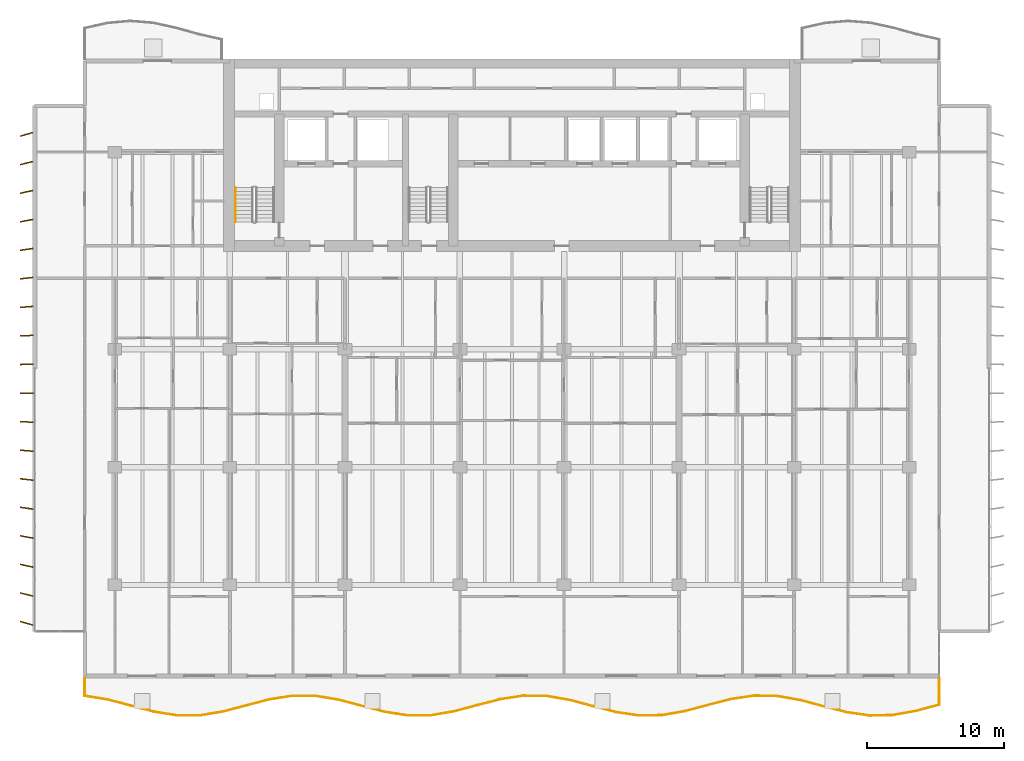
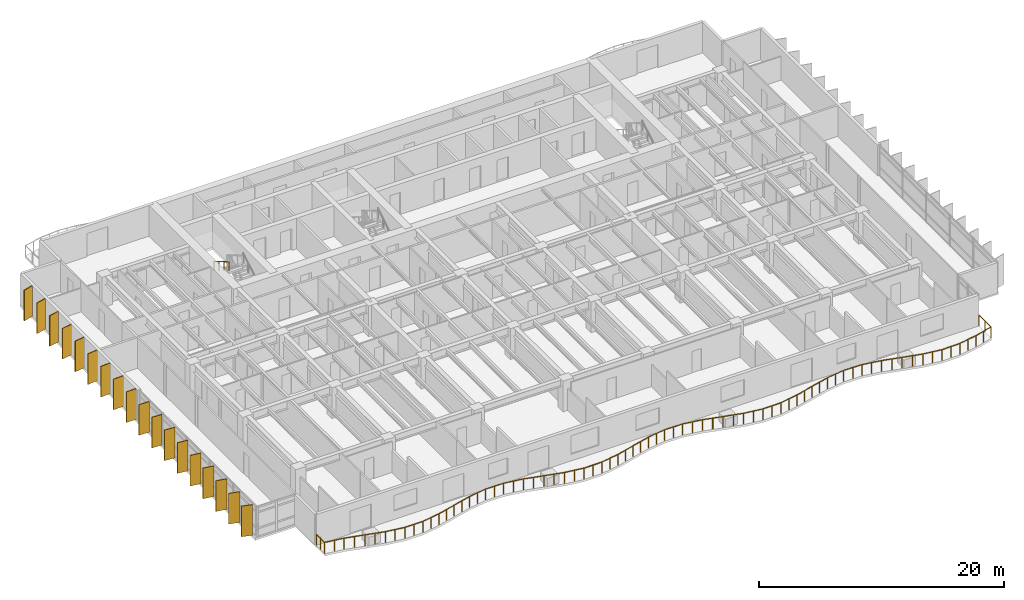
# One storey, part 14 of 17: 18 shading devices, 2 railings.
"""IFC4 building model written with IfcOpenShell, lengths in metres."""

from ifc_helpers import new_model, si_unit, direction, frame, origin, origin_2d, place, context, subcontext, project, spatial, rectangle, circle, extrude, material, material_profile, profile_set, type_object, element, save


model = new_model("IFC4")

# Units and contexts
model_context = context("Model", 3, precision=1e-05, world=origin(), true_north=direction((0.0, 1.0)))
body_context = subcontext(model_context, "Body", "Model", "MODEL_VIEW")
ifc_project = project(units=[si_unit("LENGTHUNIT", "METRE"), si_unit("AREAUNIT", "SQUARE_METRE"), si_unit("VOLUMEUNIT", "CUBIC_METRE"), si_unit("PLANEANGLEUNIT", "RADIAN"), si_unit("MASSUNIT", "GRAM", prefix="KILO")], contexts=[model_context])

# Site, building, storey
site_placement = place(None, origin())
site = spatial("IfcSite", under=ifc_project, at=site_placement, CompositionType="ELEMENT")
building_placement = place(site_placement, origin())
building = spatial("IfcBuilding", under=site, at=building_placement, Name="Caelmar Bay Residences", CompositionType="ELEMENT")
storey_placement = place(building_placement, frame((0.0, 0.0, 109.199951171875)))
storey = spatial("IfcBuildingStorey", under=building, at=storey_placement, Name="L29", CompositionType="ELEMENT", Elevation=109.199951171875)

# Railings
ifc_material_1 = material(Name="Anodised bronze handrail with laminated hurricane glass infill", Category="glass")
railing_type_1 = type_object("IfcRailingType", Name="RL-BAL-1100", PredefinedType="BALUSTRADE", material=ifc_material_1)
railing_1_placement = place(storey_placement, frame((7.699951171875, 5.39990234375, 0.0)))
element("IfcRailing", 1, at=railing_1_placement, inside=storey, type_object=railing_type_1, Name="L29 south Balcony Balustrade", PredefinedType="BALUSTRADE", context=body_context, shape_type="SweptSolid", body=[
    extrude(circle(Radius=0.02392578125, at=origin_2d()), frame((0.0, 0.0, 1.076171875), z_axis=(0.0, -1.0, 0.0), x_axis=(1.0, 0.0, 0.0)), (0.0, 0.0, 1.0), 1.306640625),
    extrude(circle(Radius=0.02392578125, at=origin_2d()), frame((0.0, -1.306640625, 1.076171875), z_axis=(0.987065173656, -0.160319502728, 0.0), x_axis=(0.160319502728, 0.987065173656, 0.0)), (0.0, 0.0, 1.0), 1.708740234375),
    extrude(circle(Radius=0.02392578125, at=origin_2d()), frame((1.6865234375, -1.58056640625, 1.076171875), z_axis=(0.967208611975, -0.253983268981, 0.0), x_axis=(0.253983268981, 0.967208611975, 0.0)), (0.0, 0.0, 1.0), 1.74365234375),
    extrude(circle(Radius=0.02392578125, at=origin_2d()), frame((3.373046875, -2.0234375, 1.076171875), z_axis=(0.967380394838, -0.253328189673, 0.0), x_axis=(0.253328189673, 0.967380394838, 0.0)), (0.0, 0.0, 1.0), 1.743408203125),
    extrude(circle(Radius=0.02392578125, at=origin_2d()), frame((5.0595703125, -2.465087890625, 1.076171875), z_axis=(0.987398669265, -0.158252544792, 0.0), x_axis=(0.158252544792, 0.987398669265, 0.0)), (0.0, 0.0, 1.0), 1.707763671875),
    extrude(circle(Radius=0.02392578125, at=origin_2d()), frame((6.745849609375, -2.7353515625, 1.076171875), z_axis=(0.999995379373, 0.00303993963, 0.0), x_axis=(-0.00303993963, 0.999995379373, 0.0)), (0.0, 0.0, 1.0), 1.6865234375),
    extrude(circle(Radius=0.02392578125, at=origin_2d()), frame((8.432373046875, -2.730224609375, 1.076171875), z_axis=(0.986655160989, 0.162823810586, 0.0), x_axis=(-0.162823810586, 0.986655160989, 0.0)), (0.0, 0.0, 1.0), 1.709228515625),
    extrude(circle(Radius=0.02392578125, at=origin_2d()), frame((10.118896484375, -2.451904296875, 1.076171875), z_axis=(0.966967473877, 0.254899792984, 0.0), x_axis=(-0.254899792984, 0.966967473877, 0.0)), (0.0, 0.0, 1.0), 1.744140625),
    extrude(circle(Radius=0.02392578125, at=origin_2d()), frame((11.805419921875, -2.00732421875, 1.076171875), z_axis=(0.967620247319, 0.252410493004, 0.0), x_axis=(-0.252410493004, 0.967620247319, 0.0)), (0.0, 0.0, 1.0), 1.742919921875),
    extrude(circle(Radius=0.02392578125, at=origin_2d()), frame((13.491943359375, -1.5673828125, 1.076171875), z_axis=(0.987823182146, 0.155580721218, 0.0), x_axis=(-0.155580721218, 0.987823182146, 0.0)), (0.0, 0.0, 1.0), 1.707275390625),
    extrude(circle(Radius=0.02392578125, at=origin_2d()), frame((15.178466796875, -1.3017578125, 1.076171875), z_axis=(0.999979715819, -0.006369297553, 0.0), x_axis=(0.006369297553, 0.999979715819, 0.0)), (0.0, 0.0, 1.0), 1.6865234375),
    extrude(circle(Radius=0.02392578125, at=origin_2d()), frame((16.864990234375, -1.3125, 1.076171875), z_axis=(0.986215858192, -0.165463836081, 0.0), x_axis=(0.165463836081, 0.986215858192, 0.0)), (0.0, 0.0, 1.0), 1.710205078125),
    extrude(circle(Radius=0.02392578125, at=origin_2d()), frame((18.551513671875, -1.595458984375, 1.076171875), z_axis=(0.966716428408, -0.255850243395, 0.0), x_axis=(0.255850243395, 0.966716428408, 0.0)), (0.0, 0.0, 1.0), 1.744384765625),
    extrude(circle(Radius=0.02392578125, at=origin_2d()), frame((20.23779296875, -2.041748046875, 1.076171875), z_axis=(0.967927523166, -0.251229595981, 0.0), x_axis=(0.251229595981, 0.967927523166, 0.0)), (0.0, 0.0, 1.0), 1.742431640625),
    extrude(circle(Radius=0.02392578125, at=origin_2d()), frame((21.92431640625, -2.4794921875, 1.076171875), z_axis=(0.988215723796, -0.153067577369, 0.0), x_axis=(0.153067577369, 0.988215723796, 0.0)), (0.0, 0.0, 1.0), 1.70654296875),
    extrude(circle(Radius=0.02392578125, at=origin_2d()), frame((23.61083984375, -2.74072265625, 1.076171875), z_axis=(0.999952968989, 0.009698443677, 0.0), x_axis=(-0.009698443677, 0.999952968989, 0.0)), (0.0, 0.0, 1.0), 1.6865234375),
    extrude(circle(Radius=0.02392578125, at=origin_2d()), frame((25.29736328125, -2.724365234375, 1.076171875), z_axis=(0.985793532406, 0.167961636891, 0.0), x_axis=(-0.167961636891, 0.985793532406, 0.0)), (0.0, 0.0, 1.0), 1.7109375),
    extrude(circle(Radius=0.02392578125, at=origin_2d()), frame((26.98388671875, -2.43701171875, 1.076171875), z_axis=(0.966482957284, 0.256730779765, 0.0), x_axis=(-0.256730779765, 0.966482957284, 0.0)), (0.0, 0.0, 1.0), 1.7451171875),
    extrude(circle(Radius=0.02392578125, at=origin_2d()), frame((28.67041015625, -1.989013671875, 1.076171875), z_axis=(0.968165653022, 0.250310343992, 0.0), x_axis=(-0.250310343992, 0.968165653022, 0.0)), (0.0, 0.0, 1.0), 1.741943359375),
    extrude(circle(Radius=0.02392578125, at=origin_2d()), frame((30.35693359375, -1.552978515625, 1.076171875), z_axis=(0.988641503108, 0.150292974991, 0.0), x_axis=(-0.150292974991, 0.988641503108, 0.0)), (0.0, 0.0, 1.0), 1.70556640625),
    extrude(circle(Radius=0.02392578125, at=origin_2d()), frame((32.043212890625, -1.296630859375, 1.076171875), z_axis=(0.999915141552, -0.013027267333, 0.0), x_axis=(0.013027267333, 0.999915141552, 0.0)), (0.0, 0.0, 1.0), 1.686767578125),
    extrude(circle(Radius=0.02392578125, at=origin_2d()), frame((33.729736328125, -1.318603515625, 1.076171875), z_axis=(0.985341285462, -0.170594698525, 0.0), x_axis=(0.170594698525, 0.985341285462, 0.0)), (0.0, 0.0, 1.0), 1.711669921875),
    extrude(circle(Radius=0.02392578125, at=origin_2d()), frame((35.416259765625, -1.610595703125, 1.076171875), z_axis=(0.966309193943, -0.257384035445, 0.0), x_axis=(0.257384035445, 0.966309193943, 0.0)), (0.0, 0.0, 1.0), 1.745361328125),
    extrude(circle(Radius=0.02392578125, at=origin_2d()), frame((37.102783203125, -2.059814453125, 1.076171875), z_axis=(0.968436874768, -0.249258940842, 0.0), x_axis=(0.249258940842, 0.968436874768, 0.0)), (0.0, 0.0, 1.0), 1.741455078125),
    extrude(circle(Radius=0.02392578125, at=origin_2d()), frame((38.789306640625, -2.493896484375, 1.076171875), z_axis=(0.989045303054, -0.147612291177, 0.0), x_axis=(0.147612291177, 0.989045303054, 0.0)), (0.0, 0.0, 1.0), 1.705322265625),
    extrude(circle(Radius=0.02392578125, at=origin_2d()), frame((40.475830078125, -2.74560546875, 1.076171875), z_axis=(0.999863859809, 0.016500359007, 0.0), x_axis=(-0.016500359007, 0.999863859809, 0.0)), (0.0, 0.0, 1.0), 1.686767578125),
    extrude(circle(Radius=0.02392578125, at=origin_2d()), frame((42.162353515625, -2.7177734375, 1.076171875), z_axis=(0.984926778212, 0.172971794118, 0.0), x_axis=(-0.172971794118, 0.984926778212, 0.0)), (0.0, 0.0, 1.0), 1.712158203125),
    extrude(circle(Radius=0.02392578125, at=origin_2d()), frame((43.8486328125, -2.421630859375, 1.076171875), z_axis=(0.96606528911, 0.258298000722, 0.0), x_axis=(-0.258298000722, 0.96606528911, 0.0)), (0.0, 0.0, 1.0), 1.745849609375),
    extrude(circle(Radius=0.02392578125, at=origin_2d()), frame((45.53515625, -1.970703125, 1.076171875), z_axis=(0.968740814455, 0.248075058015, 0.0), x_axis=(-0.248075058015, 0.968740814455, 0.0)), (0.0, 0.0, 1.0), 1.740966796875),
    extrude(circle(Radius=0.02392578125, at=origin_2d()), frame((47.2216796875, -1.538818359375, 1.076171875), z_axis=(0.989459562503, 0.144809440893, 0.0), x_axis=(-0.144809440893, 0.989459562503, 0.0)), (0.0, 0.0, 1.0), 1.70458984375),
    extrude(circle(Radius=0.02392578125, at=origin_2d()), frame((48.908203125, -1.2919921875, 1.076171875), z_axis=(0.999806261051, -0.01968350485, 0.0), x_axis=(0.01968350485, 0.999806261051, 0.0)), (0.0, 0.0, 1.0), 1.686767578125),
    extrude(circle(Radius=0.02392578125, at=origin_2d()), frame((50.5947265625, -1.3251953125, 1.076171875), z_axis=(0.984466306135, -0.175573608737, 0.0), x_axis=(0.175573608737, 0.984466306135, 0.0)), (0.0, 0.0, 1.0), 1.713134765625),
    extrude(circle(Radius=0.02392578125, at=origin_2d()), frame((52.28125, -1.6259765625, 1.076171875), z_axis=(0.965881240194, -0.258985385383, 0.0), x_axis=(0.258985385383, 0.965881240194, 0.0)), (0.0, 0.0, 1.0), 1.745849609375),
    extrude(circle(Radius=0.02392578125, at=origin_2d()), frame((53.967529296875, -2.078125, 1.076171875), z_axis=(0.969043495909, -0.246890062652, 0.0), x_axis=(0.246890062652, 0.969043495909, 0.0)), (0.0, 0.0, 1.0), 1.740478515625),
    extrude(circle(Radius=0.02392578125, at=origin_2d()), frame((55.654052734375, -2.5078125, 1.076171875), z_axis=(0.989846061572, -0.142143499288, 0.0), x_axis=(0.142143499288, 0.989846061572, 0.0)), (0.0, 0.0, 1.0), 1.703857421875),
    extrude(circle(Radius=0.02392578125, at=origin_2d()), frame((57.340576171875, -2.75, 1.076171875), z_axis=(0.99973187913, 0.023155341729, 0.0), x_axis=(-0.023155341729, 0.99973187913, 0.0)), (0.0, 0.0, 1.0), 1.68701171875),
    extrude(circle(Radius=0.02392578125, at=origin_2d()), frame((59.027099609375, -2.7109375, 1.076171875), z_axis=(0.984044935077, 0.177920110583, 0.0), x_axis=(-0.177920110583, 0.984044935077, 0.0)), (0.0, 0.0, 1.0), 1.7138671875),
    extrude(circle(Radius=0.02392578125, at=origin_2d()), frame((60.713623046875, -2.406005859375, 1.076171875), z_axis=(0.965715569581, 0.259602462755, 0.0), x_axis=(-0.259602462755, 0.965715569581, 0.0)), (0.0, 0.0, 1.0), 1.746337890625),
    extrude(circle(Radius=0.02392578125, at=origin_2d()), frame((62.400146484375, -1.95263671875, 1.076171875), z_axis=(0.0, 1.0, 0.0), x_axis=(-1.0, 0.0, 0.0)), (0.0, 0.0, 1.0), 1.95263671875),
    extrude(circle(Radius=0.02099609375, at=origin_2d()), origin(), (0.0, 0.0, 1.0), 1.052001953125),
    extrude(circle(Radius=0.02099609375, at=origin_2d()), frame((0.0, -0.6533203125, 0.0)), (0.0, 0.0, 1.0), 1.052001953125),
    extrude(circle(Radius=0.02099609375, at=origin_2d()), frame((0.0, -1.306640625, 0.0)), (0.0, 0.0, 1.0), 1.052001953125),
    extrude(circle(Radius=0.02099609375, at=origin_2d()), frame((0.84326171875, -1.443603515625, 0.0)), (0.0, 0.0, 1.0), 1.052001953125),
    extrude(circle(Radius=0.02099609375, at=origin_2d()), frame((1.6865234375, -1.58056640625, 0.0)), (0.0, 0.0, 1.0), 1.052001953125),
    extrude(circle(Radius=0.02099609375, at=origin_2d()), frame((2.52978515625, -1.802001953125, 0.0)), (0.0, 0.0, 1.0), 1.052001953125),
    extrude(circle(Radius=0.02099609375, at=origin_2d()), frame((3.373046875, -2.0234375, 0.0)), (0.0, 0.0, 1.0), 1.052001953125),
    extrude(circle(Radius=0.02099609375, at=origin_2d()), frame((4.21630859375, -2.244140625, 0.0)), (0.0, 0.0, 1.0), 1.052001953125),
    extrude(circle(Radius=0.02099609375, at=origin_2d()), frame((5.0595703125, -2.465087890625, 0.0)), (0.0, 0.0, 1.0), 1.052001953125),
    extrude(circle(Radius=0.02099609375, at=origin_2d()), frame((5.90283203125, -2.60009765625, 0.0)), (0.0, 0.0, 1.0), 1.052001953125),
    extrude(circle(Radius=0.02099609375, at=origin_2d()), frame((6.745849609375, -2.7353515625, 0.0)), (0.0, 0.0, 1.0), 1.052001953125),
    extrude(circle(Radius=0.02099609375, at=origin_2d()), frame((7.589111328125, -2.73291015625, 0.0)), (0.0, 0.0, 1.0), 1.052001953125),
    extrude(circle(Radius=0.02099609375, at=origin_2d()), frame((8.432373046875, -2.730224609375, 0.0)), (0.0, 0.0, 1.0), 1.052001953125),
    extrude(circle(Radius=0.02099609375, at=origin_2d()), frame((9.275634765625, -2.591064453125, 0.0)), (0.0, 0.0, 1.0), 1.052001953125),
    extrude(circle(Radius=0.02099609375, at=origin_2d()), frame((10.118896484375, -2.451904296875, 0.0)), (0.0, 0.0, 1.0), 1.052001953125),
    extrude(circle(Radius=0.02099609375, at=origin_2d()), frame((10.962158203125, -2.2294921875, 0.0)), (0.0, 0.0, 1.0), 1.052001953125),
    extrude(circle(Radius=0.02099609375, at=origin_2d()), frame((11.805419921875, -2.00732421875, 0.0)), (0.0, 0.0, 1.0), 1.052001953125),
    extrude(circle(Radius=0.02099609375, at=origin_2d()), frame((12.648681640625, -1.787353515625, 0.0)), (0.0, 0.0, 1.0), 1.052001953125),
    extrude(circle(Radius=0.02099609375, at=origin_2d()), frame((13.491943359375, -1.5673828125, 0.0)), (0.0, 0.0, 1.0), 1.052001953125),
    extrude(circle(Radius=0.02099609375, at=origin_2d()), frame((14.335205078125, -1.4345703125, 0.0)), (0.0, 0.0, 1.0), 1.052001953125),
    extrude(circle(Radius=0.02099609375, at=origin_2d()), frame((15.178466796875, -1.3017578125, 0.0)), (0.0, 0.0, 1.0), 1.052001953125),
    extrude(circle(Radius=0.02099609375, at=origin_2d()), frame((16.021728515625, -1.30712890625, 0.0)), (0.0, 0.0, 1.0), 1.052001953125),
    extrude(circle(Radius=0.02099609375, at=origin_2d()), frame((16.864990234375, -1.3125, 0.0)), (0.0, 0.0, 1.0), 1.052001953125),
    extrude(circle(Radius=0.02099609375, at=origin_2d()), frame((17.708251953125, -1.4541015625, 0.0)), (0.0, 0.0, 1.0), 1.052001953125),
    extrude(circle(Radius=0.02099609375, at=origin_2d()), frame((18.551513671875, -1.595458984375, 0.0)), (0.0, 0.0, 1.0), 1.052001953125),
    extrude(circle(Radius=0.02099609375, at=origin_2d()), frame((19.39453125, -1.818603515625, 0.0)), (0.0, 0.0, 1.0), 1.052001953125),
    extrude(circle(Radius=0.02099609375, at=origin_2d()), frame((20.23779296875, -2.041748046875, 0.0)), (0.0, 0.0, 1.0), 1.052001953125),
    extrude(circle(Radius=0.02099609375, at=origin_2d()), frame((21.0810546875, -2.2607421875, 0.0)), (0.0, 0.0, 1.0), 1.052001953125),
    extrude(circle(Radius=0.02099609375, at=origin_2d()), frame((21.92431640625, -2.4794921875, 0.0)), (0.0, 0.0, 1.0), 1.052001953125),
    extrude(circle(Radius=0.02099609375, at=origin_2d()), frame((22.767578125, -2.610107421875, 0.0)), (0.0, 0.0, 1.0), 1.052001953125),
    extrude(circle(Radius=0.02099609375, at=origin_2d()), frame((23.61083984375, -2.74072265625, 0.0)), (0.0, 0.0, 1.0), 1.052001953125),
    extrude(circle(Radius=0.02099609375, at=origin_2d()), frame((24.4541015625, -2.732421875, 0.0)), (0.0, 0.0, 1.0), 1.052001953125),
    extrude(circle(Radius=0.02099609375, at=origin_2d()), frame((25.29736328125, -2.724365234375, 0.0)), (0.0, 0.0, 1.0), 1.052001953125),
    extrude(circle(Radius=0.02099609375, at=origin_2d()), frame((26.140625, -2.58056640625, 0.0)), (0.0, 0.0, 1.0), 1.052001953125),
    extrude(circle(Radius=0.02099609375, at=origin_2d()), frame((26.98388671875, -2.43701171875, 0.0)), (0.0, 0.0, 1.0), 1.052001953125),
    extrude(circle(Radius=0.02099609375, at=origin_2d()), frame((27.8271484375, -2.212890625, 0.0)), (0.0, 0.0, 1.0), 1.052001953125),
    extrude(circle(Radius=0.02099609375, at=origin_2d()), frame((28.67041015625, -1.989013671875, 0.0)), (0.0, 0.0, 1.0), 1.052001953125),
    extrude(circle(Radius=0.02099609375, at=origin_2d()), frame((29.513671875, -1.77099609375, 0.0)), (0.0, 0.0, 1.0), 1.052001953125),
    extrude(circle(Radius=0.02099609375, at=origin_2d()), frame((30.35693359375, -1.552978515625, 0.0)), (0.0, 0.0, 1.0), 1.052001953125),
    extrude(circle(Radius=0.02099609375, at=origin_2d()), frame((31.2001953125, -1.4248046875, 0.0)), (0.0, 0.0, 1.0), 1.052001953125),
    extrude(circle(Radius=0.02099609375, at=origin_2d()), frame((32.043212890625, -1.296630859375, 0.0)), (0.0, 0.0, 1.0), 1.052001953125),
    extrude(circle(Radius=0.02099609375, at=origin_2d()), frame((32.886474609375, -1.3076171875, 0.0)), (0.0, 0.0, 1.0), 1.052001953125),
    extrude(circle(Radius=0.02099609375, at=origin_2d()), frame((33.729736328125, -1.318603515625, 0.0)), (0.0, 0.0, 1.0), 1.052001953125),
    extrude(circle(Radius=0.02099609375, at=origin_2d()), frame((34.572998046875, -1.464599609375, 0.0)), (0.0, 0.0, 1.0), 1.052001953125),
    extrude(circle(Radius=0.02099609375, at=origin_2d()), frame((35.416259765625, -1.610595703125, 0.0)), (0.0, 0.0, 1.0), 1.052001953125),
    extrude(circle(Radius=0.02099609375, at=origin_2d()), frame((36.259521484375, -1.835205078125, 0.0)), (0.0, 0.0, 1.0), 1.052001953125),
    extrude(circle(Radius=0.02099609375, at=origin_2d()), frame((37.102783203125, -2.059814453125, 0.0)), (0.0, 0.0, 1.0), 1.052001953125),
    extrude(circle(Radius=0.02099609375, at=origin_2d()), frame((37.946044921875, -2.27685546875, 0.0)), (0.0, 0.0, 1.0), 1.052001953125),
    extrude(circle(Radius=0.02099609375, at=origin_2d()), frame((38.789306640625, -2.493896484375, 0.0)), (0.0, 0.0, 1.0), 1.052001953125),
    extrude(circle(Radius=0.02099609375, at=origin_2d()), frame((39.632568359375, -2.61962890625, 0.0)), (0.0, 0.0, 1.0), 1.052001953125),
    extrude(circle(Radius=0.02099609375, at=origin_2d()), frame((40.475830078125, -2.74560546875, 0.0)), (0.0, 0.0, 1.0), 1.052001953125),
    extrude(circle(Radius=0.02099609375, at=origin_2d()), frame((41.319091796875, -2.731689453125, 0.0)), (0.0, 0.0, 1.0), 1.052001953125),
    extrude(circle(Radius=0.02099609375, at=origin_2d()), frame((42.162353515625, -2.7177734375, 0.0)), (0.0, 0.0, 1.0), 1.052001953125),
    extrude(circle(Radius=0.02099609375, at=origin_2d()), frame((43.00537109375, -2.56982421875, 0.0)), (0.0, 0.0, 1.0), 1.052001953125),
    extrude(circle(Radius=0.02099609375, at=origin_2d()), frame((43.8486328125, -2.421630859375, 0.0)), (0.0, 0.0, 1.0), 1.052001953125),
    extrude(circle(Radius=0.02099609375, at=origin_2d()), frame((44.69189453125, -2.1962890625, 0.0)), (0.0, 0.0, 1.0), 1.052001953125),
    extrude(circle(Radius=0.02099609375, at=origin_2d()), frame((45.53515625, -1.970703125, 0.0)), (0.0, 0.0, 1.0), 1.052001953125),
    extrude(circle(Radius=0.02099609375, at=origin_2d()), frame((46.37841796875, -1.7548828125, 0.0)), (0.0, 0.0, 1.0), 1.052001953125),
    extrude(circle(Radius=0.02099609375, at=origin_2d()), frame((47.2216796875, -1.538818359375, 0.0)), (0.0, 0.0, 1.0), 1.052001953125),
    extrude(circle(Radius=0.02099609375, at=origin_2d()), frame((48.06494140625, -1.41552734375, 0.0)), (0.0, 0.0, 1.0), 1.052001953125),
    extrude(circle(Radius=0.02099609375, at=origin_2d()), frame((48.908203125, -1.2919921875, 0.0)), (0.0, 0.0, 1.0), 1.052001953125),
    extrude(circle(Radius=0.02099609375, at=origin_2d()), frame((49.75146484375, -1.30859375, 0.0)), (0.0, 0.0, 1.0), 1.052001953125),
    extrude(circle(Radius=0.02099609375, at=origin_2d()), frame((50.5947265625, -1.3251953125, 0.0)), (0.0, 0.0, 1.0), 1.052001953125),
    extrude(circle(Radius=0.02099609375, at=origin_2d()), frame((51.43798828125, -1.4755859375, 0.0)), (0.0, 0.0, 1.0), 1.052001953125),
    extrude(circle(Radius=0.02099609375, at=origin_2d()), frame((52.28125, -1.6259765625, 0.0)), (0.0, 0.0, 1.0), 1.052001953125),
    extrude(circle(Radius=0.02099609375, at=origin_2d()), frame((53.12451171875, -1.85205078125, 0.0)), (0.0, 0.0, 1.0), 1.052001953125),
    extrude(circle(Radius=0.02099609375, at=origin_2d()), frame((53.967529296875, -2.078125, 0.0)), (0.0, 0.0, 1.0), 1.052001953125),
    extrude(circle(Radius=0.02099609375, at=origin_2d()), frame((54.810791015625, -2.29296875, 0.0)), (0.0, 0.0, 1.0), 1.052001953125),
    extrude(circle(Radius=0.02099609375, at=origin_2d()), frame((55.654052734375, -2.5078125, 0.0)), (0.0, 0.0, 1.0), 1.052001953125),
    extrude(circle(Radius=0.02099609375, at=origin_2d()), frame((56.497314453125, -2.62890625, 0.0)), (0.0, 0.0, 1.0), 1.052001953125),
    extrude(circle(Radius=0.02099609375, at=origin_2d()), frame((57.340576171875, -2.75, 0.0)), (0.0, 0.0, 1.0), 1.052001953125),
    extrude(circle(Radius=0.02099609375, at=origin_2d()), frame((58.183837890625, -2.73046875, 0.0)), (0.0, 0.0, 1.0), 1.052001953125),
    extrude(circle(Radius=0.02099609375, at=origin_2d()), frame((59.027099609375, -2.7109375, 0.0)), (0.0, 0.0, 1.0), 1.052001953125),
    extrude(circle(Radius=0.02099609375, at=origin_2d()), frame((59.870361328125, -2.55859375, 0.0)), (0.0, 0.0, 1.0), 1.052001953125),
    extrude(circle(Radius=0.02099609375, at=origin_2d()), frame((60.713623046875, -2.406005859375, 0.0)), (0.0, 0.0, 1.0), 1.052001953125),
    extrude(circle(Radius=0.02099609375, at=origin_2d()), frame((61.556884765625, -2.17919921875, 0.0)), (0.0, 0.0, 1.0), 1.052001953125),
    extrude(circle(Radius=0.02099609375, at=origin_2d()), frame((62.400146484375, -1.95263671875, 0.0)), (0.0, 0.0, 1.0), 1.052001953125),
    extrude(circle(Radius=0.02099609375, at=origin_2d()), frame((62.400146484375, -0.976318359375, 0.0)), (0.0, 0.0, 1.0), 1.052001953125),
    extrude(circle(Radius=0.02099609375, at=origin_2d()), frame((62.400146484375, 0.0, 0.0)), (0.0, 0.0, 1.0), 1.052001953125),
])
ifc_material_2 = material(Name="Brushed bronze stainless-steel tubular handrail 900 mm", Category="steel")
railing_type_2 = type_object("IfcRailingType", Name="RL-HND-900", PredefinedType="HANDRAIL", material=ifc_material_2)
railing_2_placement = place(storey_placement, frame((18.699951171875, 41.219970703125, 1.81494140625)))
element("IfcRailing", 2, at=railing_2_placement, inside=storey, type_object=railing_type_2, Name="L29 ST1 stair handrail 2", PredefinedType="HANDRAIL", context=body_context, shape_type="SweptSolid", body=[
    extrude(circle(Radius=0.02392578125, at=origin_2d()), frame((0.0, 0.0, 0.8759765625), z_axis=(0.0, -0.86152411907, 0.507716645641), x_axis=(1.0, 0.0, 0.0)), (0.0, 0.0, 1.0), 2.925048828125),
    extrude(circle(Radius=0.02099609375, at=origin_2d()), origin(), (0.0, 0.0, 1.0), 0.851806640625),
    extrude(circle(Radius=0.02099609375, at=origin_2d()), frame((0.0, -0.840087890625, 0.4951171875)), (0.0, 0.0, 1.0), 0.851806640625),
    extrude(circle(Radius=0.02099609375, at=origin_2d()), frame((0.0, -1.679931640625, 0.989990234375)), (0.0, 0.0, 1.0), 0.851806640625),
    extrude(circle(Radius=0.02099609375, at=origin_2d()), frame((0.0, -2.52001953125, 1.485107421875)), (0.0, 0.0, 1.0), 0.851806640625),
])

# Shading devices
ifc_material_3 = material(Name="Anodised architectural bronze aluminium 6063-T6", Category="aluminium")
ifc_material_profile = material_profile(ifc_material_3, rectangle(XDim=0.074951171875, YDim=0.949951171875, at=origin_2d()), Name="BRONZE-FIN-75X950")
ifc_profile_set = profile_set([ifc_material_profile], Name="Anodised architectural bronze aluminium 6063-T6")
shading_device_type = type_object("IfcShadingDeviceType", Name="SHD-FIN-950", PredefinedType="USERDEFINED", material=ifc_profile_set)
for number, where, z_axis, x_axis, name in (
    (3, (3.449951171875, 9.39990234375, 0.0), (0.0, 0.0, 1.0), (0.275637355817, 0.961261695938, 0.0), "L29 West Bronze Solar Fin 1"),
    (4, (3.449951171875, 11.5, 0.0), (0.0, 0.0, 1.0), (0.243953546137, 0.969786918517, 0.0), "L29 West Bronze Solar Fin 2"),
    (5, (3.449951171875, 13.60009765625, 0.0), (0.0, 0.0, 1.0), (0.212007109922, 0.977268123568, 0.0), "L29 West Bronze Solar Fin 3"),
    (6, (3.449951171875, 15.699951171875, 0.0), (0.0, 0.0, 1.0), (0.179660748593, 0.98372862895, 0.0), "L29 West Bronze Solar Fin 4"),
    (7, (3.449951171875, 17.800048828125, 0.0), (0.0, 0.0, 1.0), (0.147291543397, 0.989093120613, 0.0), "L29 West Bronze Solar Fin 5"),
    (8, (3.449951171875, 19.89990234375, 0.0), (0.0, 0.0, 1.0), (0.114763772489, 0.993392810787, 0.0), "L29 West Bronze Solar Fin 6"),
    (9, (3.449951171875, 22.0, 0.0), (0.0, 0.0, 1.0), (0.08211245342, 0.996623070671, 0.0), "L29 West Bronze Solar Fin 7"),
    (10, (3.449951171875, 24.10009765625, 0.0), (0.0, 0.0, 1.0), (0.049198415926, 0.998789024705, 0.0), "L29 West Bronze Solar Fin 8"),
    (11, (3.449951171875, 26.199951171875, 0.0), (0.0, 0.0, 1.0), (0.016405359001, 0.999865423043, 0.0), "L29 West Bronze Solar Fin 9"),
    (12, (3.449951171875, 28.300048828125, 0.0), (0.0, 0.0, 1.0), (-0.016405359001, 0.999865423043, 0.0), "L29 West Bronze Solar Fin 10"),
    (13, (3.449951171875, 30.39990234375, 0.0), (0.0, 0.0, 1.0), (-0.049198415926, 0.998789024705, 0.0), "L29 West Bronze Solar Fin 11"),
    (14, (3.449951171875, 32.5, 0.0), (0.0, 0.0, 1.0), (-0.08211245342, 0.996623070671, 0.0), "L29 West Bronze Solar Fin 12"),
    (15, (3.449951171875, 34.60009765625, 0.0), (0.0, 0.0, 1.0), (-0.114763772489, 0.993392810787, 0.0), "L29 West Bronze Solar Fin 13"),
    (16, (3.449951171875, 36.699951171875, 0.0), (0.0, 0.0, 1.0), (-0.147291543397, 0.989093120613, 0.0), "L29 West Bronze Solar Fin 14"),
    (17, (3.449951171875, 38.800048828125, 0.0), (0.0, 0.0, 1.0), (-0.179660748593, 0.98372862895, 0.0), "L29 West Bronze Solar Fin 15"),
    (18, (3.449951171875, 40.89990234375, 0.0), (0.0, 0.0, 1.0), (-0.212007109922, 0.977268123568, 0.0), "L29 West Bronze Solar Fin 16"),
    (19, (3.449951171875, 43.0, 0.0), (0.0, 0.0, 1.0), (-0.243953546137, 0.969786918517, 0.0), "L29 West Bronze Solar Fin 17"),
    (20, (3.449951171875, 45.10009765625, 0.0), (0.0, 0.0, 1.0), (-0.275637355817, 0.961261695938, 0.0), "L29 West Bronze Solar Fin 18"),
):
    element("IfcShadingDevice", number, at=place(storey_placement, frame(where, z_axis=z_axis, x_axis=x_axis)), inside=storey, type_object=shading_device_type, Name=name, ObjectType="FIN", PredefinedType="USERDEFINED", context=body_context, shape_type="SweptSolid", body=[
        extrude(rectangle(XDim=0.074951171875, YDim=0.949951171875, at=origin_2d()), origin(), (0.0, 0.0, 1.0), 3.050048828125),
    ])

save(model, "model.ifc")
